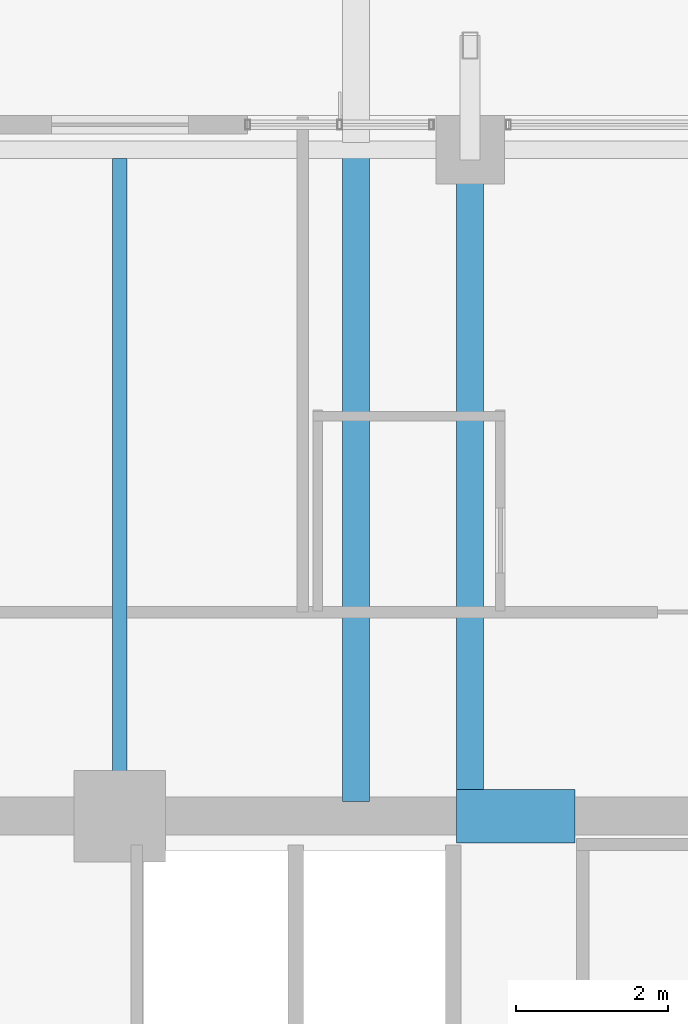
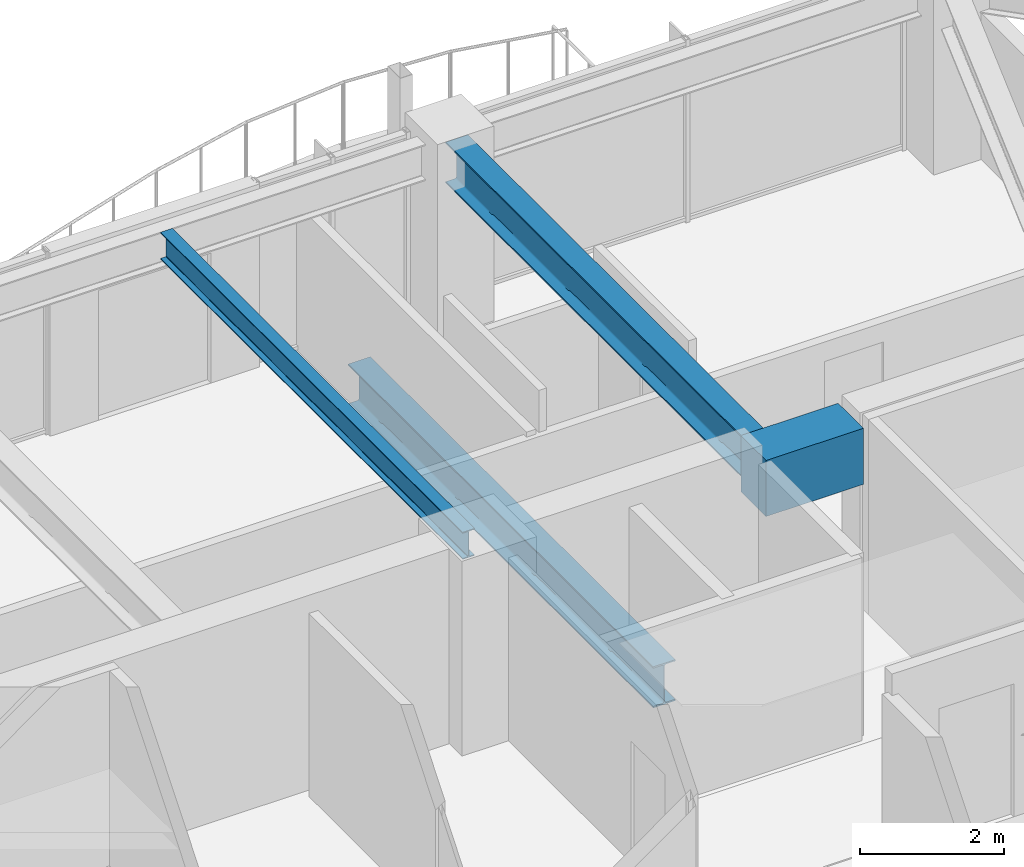
# One storey, part 18 of 34: 4 beams.
"""IFC4 building model written with IfcOpenShell, lengths in metres."""

from ifc_helpers import new_model, si_unit, direction, frame, origin, origin_2d, place, context, subcontext, project, spatial, rectangle, i_section, extrude, material, material_profile, profile_set, type_object, element, save


model = new_model("IFC4")

# Units and contexts
model_context = context("Model", 3, precision=1e-05, world=origin(), true_north=direction((0.0, 1.0)))
body_context = subcontext(model_context, "Body", "Model", "MODEL_VIEW")
ifc_project = project(units=[si_unit("LENGTHUNIT", "METRE"), si_unit("AREAUNIT", "SQUARE_METRE"), si_unit("VOLUMEUNIT", "CUBIC_METRE"), si_unit("PLANEANGLEUNIT", "RADIAN"), si_unit("MASSUNIT", "GRAM", prefix="KILO")], contexts=[model_context])

# Site, building, storey
site_placement = place(None, origin())
site = spatial("IfcSite", under=ifc_project, at=site_placement, CompositionType="ELEMENT")
building_placement = place(site_placement, origin())
building = spatial("IfcBuilding", under=site, at=building_placement, Name="Kolvaren Belvedere", CompositionType="ELEMENT")
storey_placement = place(building_placement, frame((0.0, 0.0, 166.800048828125)))
storey = spatial("IfcBuildingStorey", under=building, at=storey_placement, Name="L48", CompositionType="ELEMENT", Elevation=166.800048828125)

# Beams
ifc_material_1 = material(Name="Structural steel ASTM A992 Grade 50", Category="steel")
ifc_material_profile_1 = material_profile(ifc_material_1, i_section(OverallWidth=0.35498046875, OverallDepth=0.696044921875, WebThickness=0.015380859375, FlangeThickness=0.02490234375, FilletRadius=0.02197265625, at=origin_2d()), Name="W27X146")
ifc_profile_set_1 = profile_set([ifc_material_profile_1], Name="Structural steel ASTM A992 Grade 50")
beam_type_1 = type_object("IfcBeamType", Name="BM-GIRD-W27X146", PredefinedType="BEAM", material=ifc_profile_set_1)
beam_1_placement = place(storey_placement, frame((3.10009765625, 10.090087890625, -0.548095703125), z_axis=(0.0, 1.0, 0.0), x_axis=(-1.0, 0.0, 0.0)))
element("IfcBeam", 1, at=beam_1_placement, inside=storey, type_object=beam_type_1, Name="L48 Balcony Interior Back-Span Girder BAL-N-2", PredefinedType="BEAM", context=body_context, shape_type="SweptSolid", body=[
    extrude(i_section(OverallWidth=0.35498046875, OverallDepth=0.696044921875, WebThickness=0.015380859375, FlangeThickness=0.02490234375, FilletRadius=0.02197265625, at=origin_2d()), origin(), (0.0, 0.0, 1.0), 8.46484375),
])
beam_2_placement = place(storey_placement, frame((4.60009765625, 10.14990234375, 2.751953125), z_axis=(0.0, 1.0, 0.0), x_axis=(-1.0, 0.0, 0.0)))
element("IfcBeam", 2, at=beam_2_placement, inside=storey, type_object=beam_type_1, Name="L48 North Radial Girder P", PredefinedType="BEAM", context=body_context, shape_type="SweptSolid", body=[
    extrude(i_section(OverallWidth=0.35498046875, OverallDepth=0.696044921875, WebThickness=0.015380859375, FlangeThickness=0.02490234375, FilletRadius=0.02197265625, at=origin_2d()), origin(), (0.0, 0.0, 1.0), 8.297607421875),
])
ifc_material_2 = material(Name="Structural steel ASTM A992 Grade 50", Category="steel")
ifc_material_profile_2 = material_profile(ifc_material_2, i_section(OverallWidth=0.19091796875, OverallDepth=0.4599609375, WebThickness=0.010009765625, FlangeThickness=0.01611328125, FilletRadius=0.014892578125, at=origin_2d()), Name="W18X55")
ifc_profile_set_2 = profile_set([ifc_material_profile_2], Name="Structural steel ASTM A992 Grade 50")
beam_type_2 = type_object("IfcBeamType", Name="BM-JOIST-W18X55", PredefinedType="BEAM", material=ifc_profile_set_2)
beam_3_placement = place(storey_placement, frame((0.0, 10.14990234375, 2.869873046875), z_axis=(0.0, 1.0, 0.0), x_axis=(-1.0, 0.0, 0.0)))
element("IfcBeam", 3, at=beam_3_placement, inside=storey, type_object=beam_type_2, Name="L48 North Centre Floor Beam", PredefinedType="BEAM", context=body_context, shape_type="SweptSolid", body=[
    extrude(i_section(OverallWidth=0.19091796875, OverallDepth=0.4599609375, WebThickness=0.010009765625, FlangeThickness=0.01611328125, FilletRadius=0.014892578125, at=origin_2d()), origin(), (0.0, 0.0, 1.0), 8.385498046875),
])
ifc_material_3 = material(Name="Concrete C60/75", Category="concrete")
ifc_material_profile_3 = material_profile(ifc_material_3, rectangle(XDim=0.699951171875, YDim=0.949951171875, at=origin_2d()), Name="RC 700X950")
ifc_profile_set_3 = profile_set([ifc_material_profile_3], Name="Concrete C60/75")
beam_type_3 = type_object("IfcBeamType", Name="BM-LINT-950", PredefinedType="LINTEL", material=ifc_profile_set_3)
beam_4_placement = place(storey_placement, frame((4.419921875, 9.89990234375, 2.625), z_axis=(1.0, 0.0, 0.0), x_axis=(0.0, 1.0, 0.0)))
element("IfcBeam", 4, at=beam_4_placement, inside=storey, type_object=beam_type_3, Name="L48 North Core Coupling Lintel", PredefinedType="LINTEL", context=body_context, shape_type="SweptSolid", body=[
    extrude(rectangle(XDim=0.699951171875, YDim=0.949951171875, at=origin_2d()), origin(), (0.0, 0.0, 1.0), 1.56005859375),
])

save(model, "model.ifc")
